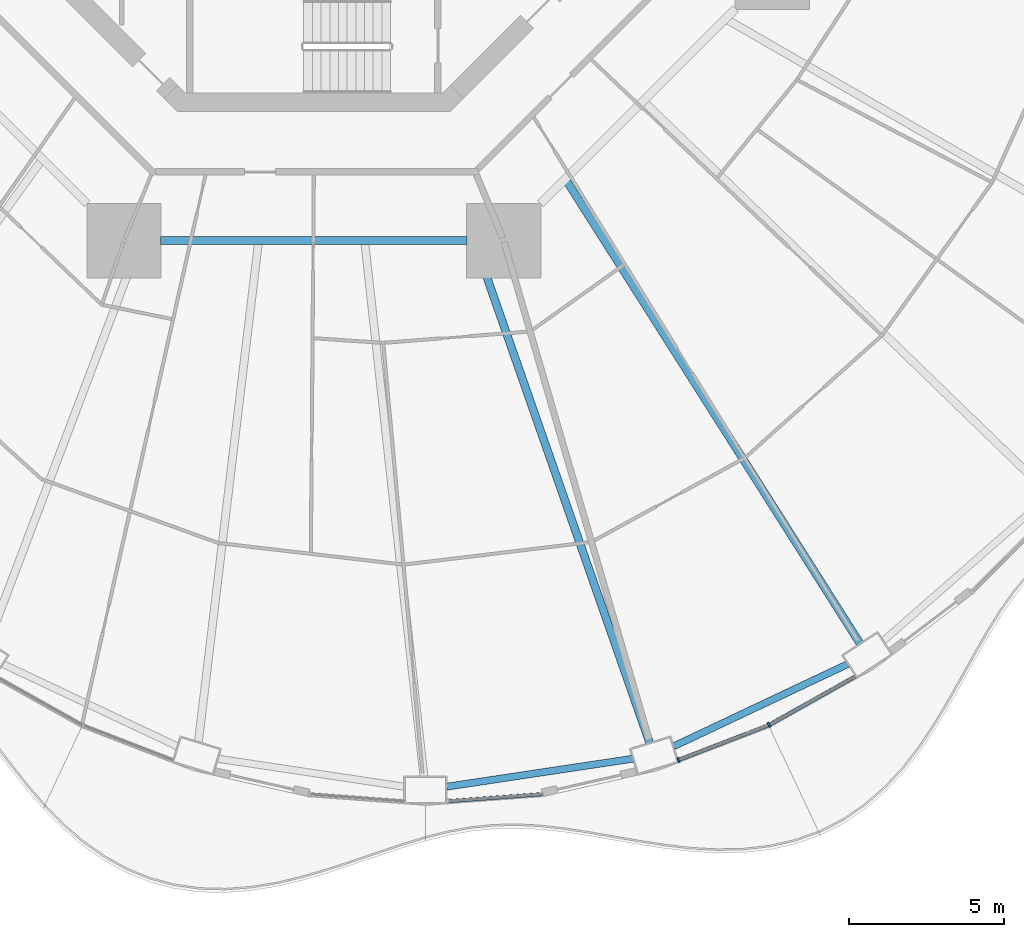
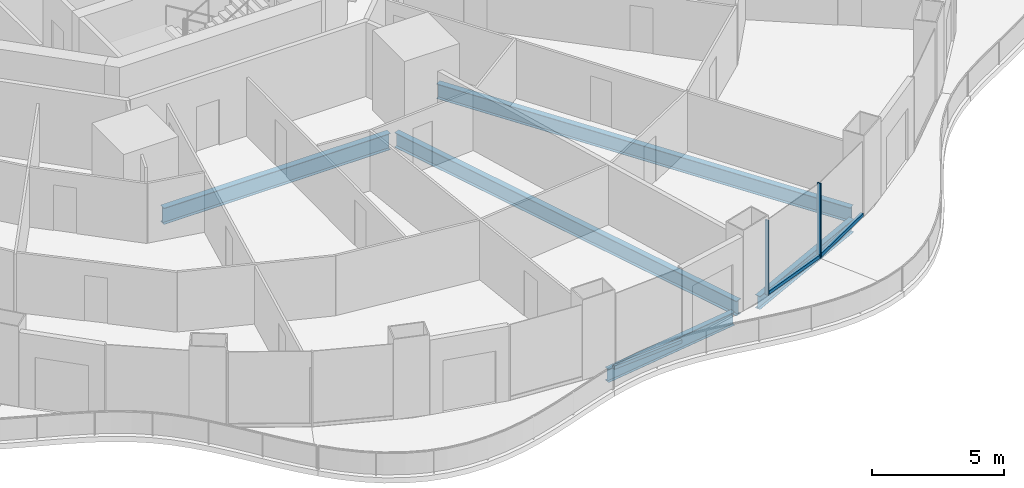
# One storey, part 4 of 22: 5 beams, 5 members, 3 elements without a shape of their own.
"""IFC4 building model written with IfcOpenShell, lengths in metres."""

import ifcopenshell
import ifcopenshell.guid

model = None  # the IFC model being written
_history = None  # IfcOwnerHistory: only IFC2X3 demands one
_inside = {}  # id of a spatial element -> (the spatial element, [elements in it])
_under = {}  # id of a project, library or spatial element -> (it, [spatial elements below it])
_declared = {}  # id of a project -> (the project, [libraries it declares])
_typed = {}  # id of a type object -> (the type object, [elements of that type])
_made_of = {}  # id of a material, layer set ... -> (it, [elements and type objects made of it])


def new_model(schema):
    """Start an empty IFC model of exactly this schema.

    Asked for "IFC4X3", IfcOpenShell would pick the latest addendum, in which some entities
    have other attributes; the version numbers below select the first issue.
    IFC2X3 requires an IfcOwnerHistory on every rooted entity: one is made here for all.
    """
    global model, _history
    if schema == "IFC4X3":
        model = ifcopenshell.file(schema_version=(4, 3, 0, 0))
    else:
        model = ifcopenshell.file(schema=schema)
    _inside.clear()
    _under.clear()
    _declared.clear()
    _typed.clear()
    _made_of.clear()
    _history = None
    if model.schema == "IFC2X3":
        org = make("IfcOrganization", Name="unknown")
        user = make(
            "IfcPersonAndOrganization",
            ThePerson=make("IfcPerson", FamilyName="unknown"),
            TheOrganization=org,
        )
        app = make(
            "IfcApplication",
            ApplicationDeveloper=org,
            Version="unknown",
            ApplicationFullName="unknown",
            ApplicationIdentifier="unknown",
        )
        _history = make(
            "IfcOwnerHistory",
            OwningUser=user,
            OwningApplication=app,
            ChangeAction="ADDED",
            CreationDate=0,
        )
    return model


def make(cls, **values):
    """One entity of the class cls with the attributes given. An attribute that is None is left unset."""
    return model.create_entity(
        cls, **{name: value for name, value in values.items() if value is not None}
    )


def rooted(cls, **values):
    """An entity with a GlobalId (a new one), such as an element, a storey or a relation."""
    return make(cls, GlobalId=ifcopenshell.guid.new(), OwnerHistory=_history, **values)


def si_unit(unit_type, name, prefix=None):
    """IfcSIUnit, for example si_unit("LENGTHUNIT", "METRE", prefix="MILLI")."""
    return make("IfcSIUnit", UnitType=unit_type, Prefix=prefix, Name=name)


def assignment(units):
    """IfcUnitAssignment: the units of a project."""
    return None if units is None else make("IfcUnitAssignment", Units=units)


def point(xyz):
    """IfcCartesianPoint."""
    return None if xyz is None else make("IfcCartesianPoint", Coordinates=xyz)


def direction(xyz):
    """IfcDirection."""
    return None if xyz is None else make("IfcDirection", DirectionRatios=xyz)


def frame(location, z_axis=None, x_axis=None):
    """IfcAxis2Placement3D, a coordinate frame: its origin and axes. An axis left out is left unset."""
    return make(
        "IfcAxis2Placement3D",
        Location=point(location),
        Axis=direction(z_axis),
        RefDirection=direction(x_axis),
    )


def frame_2d(location, x_axis=None):
    """IfcAxis2Placement2D, a coordinate frame in the plane: its origin and x axis."""
    return make(
        "IfcAxis2Placement2D", Location=point(location), RefDirection=direction(x_axis)
    )


def origin():
    """The frame at (0, 0, 0) with its axes left unset."""
    return frame((0.0, 0.0, 0.0))


def origin_2d():
    """The frame at (0, 0) in the plane with its x axis left unset."""
    return frame_2d((0.0, 0.0))


def place(relative_to, where):
    """IfcLocalPlacement: puts the frame where relative to a parent placement (None: the world)."""
    return make(
        "IfcLocalPlacement", PlacementRelTo=relative_to, RelativePlacement=where
    )


def context(
    kind, dimensions, precision=None, world=None, true_north=None, identifier=None
):
    """IfcGeometricRepresentationContext, for example the 3D "Model" context."""
    return make(
        "IfcGeometricRepresentationContext",
        ContextIdentifier=identifier,
        ContextType=kind,
        CoordinateSpaceDimension=dimensions,
        Precision=precision,
        WorldCoordinateSystem=world,
        TrueNorth=true_north,
    )


def subcontext(parent, identifier, kind, view, scale=None):
    """IfcGeometricRepresentationSubContext, for example "Body" below "Model"."""
    return make(
        "IfcGeometricRepresentationSubContext",
        ContextIdentifier=identifier,
        ContextType=kind,
        ParentContext=parent,
        TargetScale=scale,
        TargetView=view,
    )


def project(units=None, contexts=None):
    """IfcProject with its units and contexts."""
    return rooted(
        "IfcProject",
        Name="project",
        RepresentationContexts=contexts,
        UnitsInContext=assignment(units),
    )


def spatial(cls, under=None, at=None, **own):
    """A site, building, storey or space (cls), placed at a placement, below another one or the project."""
    s = rooted(cls, ObjectPlacement=at, **own)
    if under is not None:
        _under.setdefault(under.id(), (under, []))[1].append(s)
    return s


def profile(cls, at=None, kind="AREA", **sizes):
    """A parametric profile (cls). Its sizes go by their IFC names, for example OverallWidth=200.0."""
    return make(cls, ProfileType=kind, Position=at, **sizes)


def rectangle(**sizes):
    """IfcRectangleProfileDef."""
    return profile("IfcRectangleProfileDef", **sizes)


def i_section(**sizes):
    """IfcIShapeProfileDef."""
    return profile("IfcIShapeProfileDef", **sizes)


def extrude(swept, where, along, depth):
    """IfcExtrudedAreaSolid: the profile swept, set in the frame where, extruded along a direction by depth."""
    return make(
        "IfcExtrudedAreaSolid",
        SweptArea=swept,
        Position=where,
        ExtrudedDirection=direction(along),
        Depth=depth,
    )


def shape(context_of_items, identifier, shape_type, items):
    """IfcShapeRepresentation: the items that make up one representation, for example the "Body"."""
    return make(
        "IfcShapeRepresentation",
        ContextOfItems=context_of_items,
        RepresentationIdentifier=identifier,
        RepresentationType=shape_type,
        Items=items,
    )


def material(Name=None, Category=None):
    """IfcMaterial."""
    return make("IfcMaterial", Name=Name, Category=Category)


def layer(
    of_material, thickness, ventilated=None, Name=None, Category=None, Priority=None
):
    """IfcMaterialLayer: one layer of a wall or slab, of a material (None: an air gap)."""
    return make(
        "IfcMaterialLayer",
        Material=of_material,
        LayerThickness=thickness,
        IsVentilated=ventilated,
        Name=Name,
        Category=Category,
        Priority=Priority,
    )


def layer_set(layers, Name=None):
    """IfcMaterialLayerSet."""
    return make("IfcMaterialLayerSet", MaterialLayers=layers, LayerSetName=Name)


def material_profile(
    of_material, cross_section, Name=None, Category=None, Priority=None
):
    """IfcMaterialProfile: a cross section and its material."""
    return make(
        "IfcMaterialProfile",
        Name=Name,
        Material=of_material,
        Profile=cross_section,
        Priority=Priority,
        Category=Category,
    )


def profile_set(profiles, Name=None, composite=None):
    """IfcMaterialProfileSet."""
    return make(
        "IfcMaterialProfileSet",
        Name=Name,
        MaterialProfiles=profiles,
        CompositeProfile=composite,
    )


def made_of(thing, what):
    """Note that an element or type object is made of a material, layer set ...; save() writes the relation."""
    if what is not None:
        _made_of.setdefault(what.id(), (what, []))[1].append(thing)
    return thing


def type_object(cls, material=None, **own):
    """A type object (cls), such as IfcWallType, which elements share."""
    return made_of(rooted(cls, **own), material)


def element(
    cls,
    number,
    at=None,
    inside=None,
    cuts=None,
    type_object=None,
    material=None,
    context=None,
    identifier="Body",
    shape_type=None,
    held_by="IfcProductDefinitionShape",
    body=None,
    shapes=None,
    **own,
):
    """One element of the class cls, such as IfcWall. Its Tag is "e" and its number.

    at: its placement. inside: the storey or other place that contains it. cuts: it is an
    opening in that element (IfcRelVoidsElement). A single representation is given by context,
    identifier, shape_type and body (its items); several are given by shapes. held_by: the class
    of the entity that holds the representations. save() writes the other relations.
    """
    e = rooted(cls, Tag="e%d" % number, ObjectPlacement=at, **own)
    if body is not None:
        shapes = [shape(context, identifier, shape_type, body)]
    if shapes is not None:
        e.Representation = make(held_by, Representations=shapes)
    if inside is not None:
        _inside.setdefault(inside.id(), (inside, []))[1].append(e)
    if cuts is not None:
        rooted(
            "IfcRelVoidsElement", RelatingBuildingElement=cuts, RelatedOpeningElement=e
        )
    if type_object is not None:
        _typed.setdefault(type_object.id(), (type_object, []))[1].append(e)
    return made_of(e, material)


def aggregate(whole, parts):
    """IfcRelAggregates: a whole, such as a stair, and the parts it consists of."""
    return rooted("IfcRelAggregates", RelatingObject=whole, RelatedObjects=parts)


def save(model, path):
    """Write the relations noted so far, then the file.

    IfcRelAggregates (storeys below a building ...), IfcRelContainedInSpatialStructure (elements
    in a storey), IfcRelDefinesByType, IfcRelAssociatesMaterial and IfcRelDeclares: one each for
    every whole, place, type object, material and project.
    """
    for whole, parts in _under.values():
        aggregate(whole, parts)
    for where, things in _inside.values():
        rooted(
            "IfcRelContainedInSpatialStructure",
            RelatedElements=things,
            RelatingStructure=where,
        )
    for kind, things in _typed.values():
        rooted("IfcRelDefinesByType", RelatedObjects=things, RelatingType=kind)
    for what, things in _made_of.values():
        rooted("IfcRelAssociatesMaterial", RelatedObjects=things, RelatingMaterial=what)
    for by, libraries in _declared.values():
        rooted("IfcRelDeclares", RelatingContext=by, RelatedDefinitions=libraries)
    model.write(path)


model = new_model("IFC4")

# Units and contexts
model_context = context("Model", 3, precision=1e-05, world=origin(), true_north=direction((0.0, 1.0)))
body_context = subcontext(model_context, "Body", "Model", "MODEL_VIEW")
ifc_project = project(units=[si_unit("LENGTHUNIT", "METRE"), si_unit("AREAUNIT", "SQUARE_METRE"), si_unit("VOLUMEUNIT", "CUBIC_METRE"), si_unit("PLANEANGLEUNIT", "RADIAN"), si_unit("MASSUNIT", "GRAM", prefix="KILO")], contexts=[model_context])

# Site, building, storey
site_placement = place(None, origin())
site = spatial("IfcSite", under=ifc_project, at=site_placement, CompositionType="ELEMENT")
building_placement = place(site_placement, origin())
building = spatial("IfcBuilding", under=site, at=building_placement, Name="Nagisa Residences", CompositionType="ELEMENT")
storey_placement = place(building_placement, frame((0.0, 0.0, 52.89990234375)))
storey = spatial("IfcBuildingStorey", under=building, at=storey_placement, Name="L12", CompositionType="ELEMENT", Elevation=52.89990234375)

# Curtain wall, member
ifc_material_1 = material(Name="Concrete-coloured aluminium curtain wall system", Category="concrete")
ifc_layer = layer(ifc_material_1, 0.159912109375)
ifc_layer_set = layer_set([ifc_layer], Name="CW1 CURTAIN WALL")
curtain_wall_type = type_object("IfcCurtainWallType", Name="CW1 CURTAIN WALL", PredefinedType="NOTDEFINED", material=ifc_layer_set)
curtain_wall_1_placement = place(storey_placement, origin())
curtain_wall_1 = element("IfcCurtainWall", 1, at=curtain_wall_1_placement, inside=storey, type_object=curtain_wall_type, Name="cw:CW1:L12:38", PredefinedType="NOTDEFINED")
ifc_material_2 = material(Name="Concrete-coloured aluminium", Category="concrete")
ifc_material_profile_1 = material_profile(ifc_material_2, rectangle(XDim=0.159912109375, YDim=0.06005859375, at=origin_2d()), Name="CW1 MULLION 160x60")
ifc_profile_set_1 = profile_set([ifc_material_profile_1], Name="Concrete-coloured aluminium")
member_type_1 = type_object("IfcMemberType", Name="CW1 MULLION 160x60", PredefinedType="MULLION", material=ifc_profile_set_1)
member_1_placement = place(storey_placement, frame((11.7578125, -31.537841796875, 0.0), z_axis=(0.0, 0.0, 1.0), x_axis=(-0.360327770268, 0.932825759707, 0.0)))
member_1 = element("IfcMember", 2, at=member_1_placement, type_object=member_type_1, Name="CW1 mullion", PredefinedType="MULLION", context=body_context, shape_type="SweptSolid", body=[
    extrude(rectangle(XDim=0.159912109375, YDim=0.06005859375, at=origin_2d()), origin(), (0.0, 0.0, 1.0), 3.440185546875),
])

curtain_wall_2_placement = place(storey_placement, origin())
curtain_wall_2 = element("IfcCurtainWall", 3, at=curtain_wall_2_placement, inside=storey, type_object=curtain_wall_type, Name="cw:CW1:L12:39", PredefinedType="NOTDEFINED")
member_2_placement = place(storey_placement, frame((14.684814453125, -30.403564453125, 0.0), z_axis=(0.0, 0.0, 1.0), x_axis=(-0.489376918501, 0.872072377523, 0.0)))
member_2 = element("IfcMember", 4, at=member_2_placement, type_object=member_type_1, Name="CW1 mullion", PredefinedType="MULLION", context=body_context, shape_type="SweptSolid", body=[
    extrude(rectangle(XDim=0.159912109375, YDim=0.06005859375, at=origin_2d()), origin(), (0.0, 0.0, 1.0), 3.440185546875),
])

curtain_wall_3_placement = place(storey_placement, origin())
curtain_wall_3 = element("IfcCurtainWall", 5, at=curtain_wall_3_placement, inside=storey, type_object=curtain_wall_type, Name="cw:CW1:L12:36", PredefinedType="NOTDEFINED")
ifc_material_3 = material(Name="Concrete-coloured aluminium", Category="concrete")
ifc_material_profile_2 = material_profile(ifc_material_3, rectangle(XDim=0.1201171875, YDim=0.14990234375, at=origin_2d()), Name="CW1 TRANSOM 120x150")
ifc_profile_set_2 = profile_set([ifc_material_profile_2], Name="Concrete-coloured aluminium")
member_type_2 = type_object("IfcMemberType", Name="CW1 TRANSOM 120x150", PredefinedType="USERDEFINED", material=ifc_profile_set_2)
member_3_placement = place(storey_placement, frame((4.2919921875, -32.8681640625, 0.0751953125), z_axis=(0.997231270995, 0.07436257224, 0.0), x_axis=(-0.07436257224, 0.997231270995, 0.0)))
member_3 = element("IfcMember", 6, at=member_3_placement, type_object=member_type_2, Name="CW1 transom", ObjectType="TRANSOM", PredefinedType="USERDEFINED", context=body_context, shape_type="SweptSolid", body=[
    extrude(rectangle(XDim=0.1201171875, YDim=0.14990234375, at=origin_2d()), origin(), (0.0, 0.0, 1.0), 3.095947265625),
])
aggregate(curtain_wall_3, [member_3])

# Member
member_4_placement = place(storey_placement, frame((11.72998046875, -31.548583984375, 0.0751953125), z_axis=(0.932825366452, 0.360328788337, 0.0), x_axis=(-0.360328788337, 0.932825366452, 0.0)))
member_4 = element("IfcMember", 7, at=member_4_placement, type_object=member_type_2, Name="CW1 transom", ObjectType="TRANSOM", PredefinedType="USERDEFINED", context=body_context, shape_type="SweptSolid", body=[
    extrude(rectangle(XDim=0.1201171875, YDim=0.14990234375, at=origin_2d()), origin(), (0.0, 0.0, 1.0), 3.150634765625),
])

aggregate(curtain_wall_1, [member_1, member_4])

member_5_placement = place(storey_placement, frame((14.65869140625, -30.418212890625, 0.0751953125), z_axis=(0.872070011948, 0.489381133946, 0.0), x_axis=(-0.489381133946, 0.872070011948, 0.0)))
member_5 = element("IfcMember", 8, at=member_5_placement, type_object=member_type_2, Name="CW1 transom", ObjectType="TRANSOM", PredefinedType="USERDEFINED", context=body_context, shape_type="SweptSolid", body=[
    extrude(rectangle(XDim=0.1201171875, YDim=0.14990234375, at=origin_2d()), origin(), (0.0, 0.0, 1.0), 3.201171875),
])

aggregate(curtain_wall_2, [member_2, member_5])

# Beams
ifc_material_4 = material(Name="Steel ASTM A572 Gr 50", Category="steel")
ifc_material_profile_3 = material_profile(ifc_material_4, i_section(OverallWidth=0.264892578125, OverallDepth=0.7529296875, WebThickness=0.01318359375, FlangeThickness=0.01708984375, at=origin_2d()), Name="W760x147")
ifc_profile_set_3 = profile_set([ifc_material_profile_3], Name="Steel ASTM A572 Gr 50")
beam_type_1 = type_object("IfcBeamType", Name="Inner ring beam W760x147", PredefinedType="BEAM", material=ifc_profile_set_3)
beam_1_placement = place(storey_placement, frame((-4.94287109375, -14.781982421875, -0.636474609375), z_axis=(1.0, 0.0, 0.0), x_axis=(0.0, 1.0, 0.0)))
element("IfcBeam", 9, at=beam_1_placement, inside=storey, type_object=beam_type_1, Name="beam:L12:ib6", PredefinedType="BEAM", context=body_context, shape_type="SweptSolid", body=[
    extrude(i_section(OverallWidth=0.264892578125, OverallDepth=0.7529296875, WebThickness=0.01318359375, FlangeThickness=0.01708984375, at=origin_2d()), origin(), (0.0, 0.0, 1.0), 9.8857421875),
])
ifc_material_5 = material(Name="Steel ASTM A572 Gr 50", Category="steel")
ifc_material_profile_4 = material_profile(ifc_material_5, i_section(OverallWidth=0.22802734375, OverallDepth=0.60302734375, WebThickness=0.010498046875, FlangeThickness=0.014892578125, at=origin_2d()), Name="W610x101")
ifc_profile_set_4 = profile_set([ifc_material_profile_4], Name="Steel ASTM A572 Gr 50")
beam_type_2 = type_object("IfcBeamType", Name="Perimeter ring beam W610x101", PredefinedType="BEAM", material=ifc_profile_set_4)
beam_2_placement = place(storey_placement, frame((4.2802734375, -32.39794921875, -0.5615234375), z_axis=(0.988914559467, 0.14848566959, 0.0), x_axis=(-0.14848566959, 0.988914559467, 0.0)))
element("IfcBeam", 10, at=beam_2_placement, inside=storey, type_object=beam_type_2, Name="beam:L12:pb19", PredefinedType="BEAM", context=body_context, shape_type="SweptSolid", body=[
    extrude(i_section(OverallWidth=0.22802734375, OverallDepth=0.60302734375, WebThickness=0.010498046875, FlangeThickness=0.014892578125, at=origin_2d()), origin(), (0.0, 0.0, 1.0), 6.08349609375),
])
beam_3_placement = place(storey_placement, frame((11.597900390625, -31.098876953125, -0.5615234375), z_axis=(0.904215426643, 0.427076646774, 0.0), x_axis=(-0.427076646774, 0.904215426643, 0.0)))
element("IfcBeam", 11, at=beam_3_placement, inside=storey, type_object=beam_type_2, Name="beam:L12:pb20", PredefinedType="BEAM", context=body_context, shape_type="SweptSolid", body=[
    extrude(i_section(OverallWidth=0.22802734375, OverallDepth=0.60302734375, WebThickness=0.010498046875, FlangeThickness=0.014892578125, at=origin_2d()), origin(), (0.0, 0.0, 1.0), 6.2275390625),
])
ifc_material_6 = material(Name="Steel ASTM A572 Gr 50", Category="steel")
ifc_material_profile_5 = material_profile(ifc_material_6, i_section(OverallWidth=0.25390625, OverallDepth=0.68408203125, WebThickness=0.012451171875, FlangeThickness=0.018798828125, at=origin_2d()), Name="W690x140")
ifc_profile_set_5 = profile_set([ifc_material_profile_5], Name="Steel ASTM A572 Gr 50")
beam_type_3 = type_object("IfcBeamType", Name="Radial beam W690x140", PredefinedType="BEAM", material=ifc_profile_set_5)
beam_4_placement = place(storey_placement, frame((10.834228515625, -30.986328125, -0.601806640625), z_axis=(-0.330051195485, 0.943963033364, 0.0), x_axis=(-0.943963033364, -0.330051195485, 0.0)))
element("IfcBeam", 12, at=beam_4_placement, inside=storey, type_object=beam_type_3, Name="beam:L12:rb20", PredefinedType="BEAM", context=body_context, shape_type="SweptSolid", body=[
    extrude(i_section(OverallWidth=0.25390625, OverallDepth=0.68408203125, WebThickness=0.012451171875, FlangeThickness=0.018798828125, at=origin_2d()), origin(), (0.0, 0.0, 1.0), 17.045654296875),
])
beam_5_placement = place(storey_placement, frame((17.61962890625, -27.78271484375, -0.601806640625), z_axis=(-0.53556610664, 0.844493306911, 0.0), x_axis=(-0.844493306911, -0.53556610664, 0.0)))
element("IfcBeam", 13, at=beam_5_placement, inside=storey, type_object=beam_type_3, Name="beam:L12:rb21", PredefinedType="BEAM", context=body_context, shape_type="SweptSolid", body=[
    extrude(i_section(OverallWidth=0.25390625, OverallDepth=0.68408203125, WebThickness=0.012451171875, FlangeThickness=0.018798828125, at=origin_2d()), origin(), (0.0, 0.0, 1.0), 17.63525390625),
])

save(model, "model.ifc")
